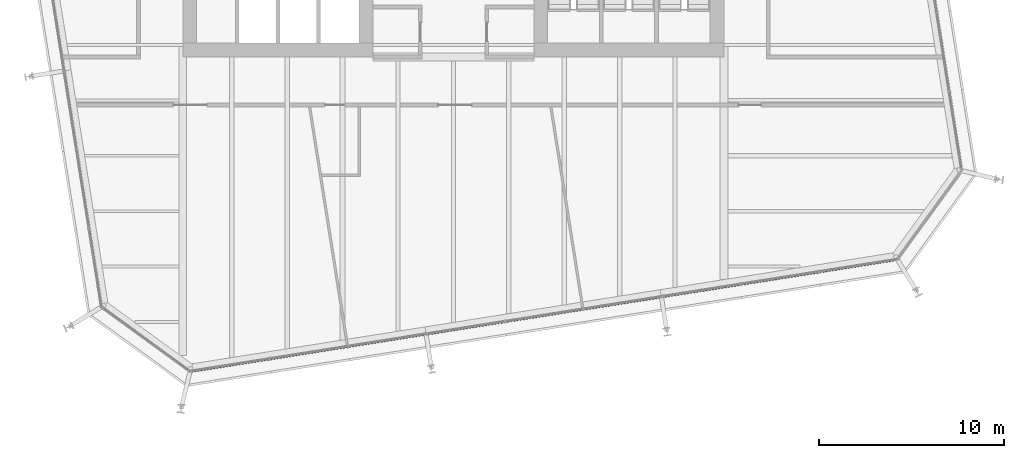
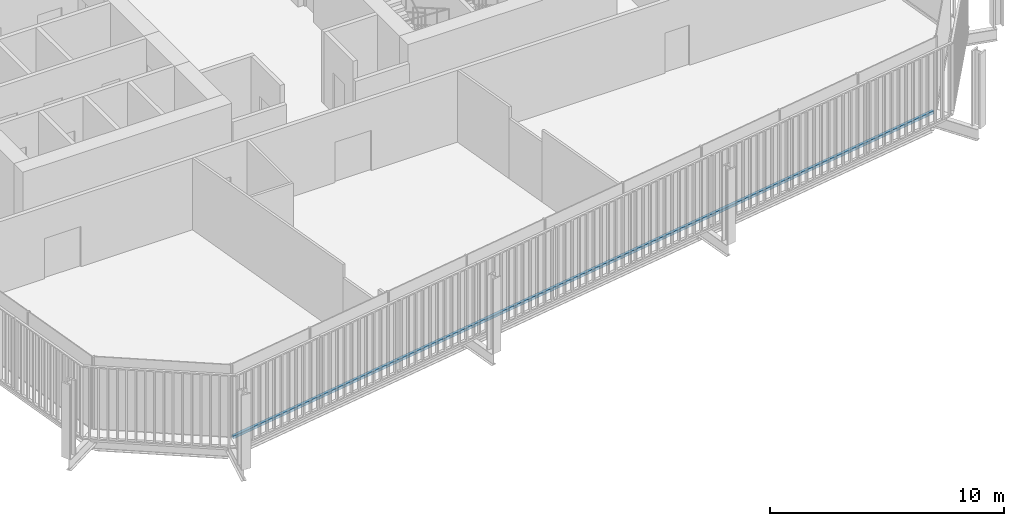
# One storey, part 7 of 21: 1 member, 1 element without a shape of its own.
"""IFC4 building model written with IfcOpenShell, lengths in metres."""

from ifc_helpers import new_model, si_unit, direction, frame, origin, origin_2d, place, context, subcontext, project, spatial, rectangle, extrude, material, layer, layer_set, material_profile, profile_set, type_object, element, aggregate, save


model = new_model("IFC4")

# Units and contexts
model_context = context("Model", 3, precision=1e-05, world=origin(), true_north=direction((0.0, 1.0)))
body_context = subcontext(model_context, "Body", "Model", "MODEL_VIEW")
ifc_project = project(units=[si_unit("LENGTHUNIT", "METRE"), si_unit("AREAUNIT", "SQUARE_METRE"), si_unit("VOLUMEUNIT", "CUBIC_METRE"), si_unit("PLANEANGLEUNIT", "RADIAN"), si_unit("MASSUNIT", "GRAM", prefix="KILO")], contexts=[model_context])

# Site, building, storey
site_placement = place(None, origin())
site = spatial("IfcSite", under=ifc_project, at=site_placement, CompositionType="ELEMENT")
building_placement = place(site_placement, origin())
building = spatial("IfcBuilding", under=site, at=building_placement, Name="Millrace Tower", CompositionType="ELEMENT")
storey_placement = place(building_placement, frame((0.0, 0.0, 183.89990234375)))
storey = spatial("IfcBuildingStorey", under=building, at=storey_placement, Name="L41", CompositionType="ELEMENT", Elevation=183.89990234375)

# Curtain wall, member
ifc_material_1 = material(Name="Aluminium and glass", Category="aluminium")
ifc_layer = layer(ifc_material_1, 0.14990234375)
ifc_layer_set = layer_set([ifc_layer], Name="Aluminium and glass")
curtain_wall_type = type_object("IfcCurtainWallType", Name="CW-1 office vision curtain wall", PredefinedType="NOTDEFINED", material=ifc_layer_set)
curtain_wall_placement = place(storey_placement, origin())
curtain_wall = element("IfcCurtainWall", 1, at=curtain_wall_placement, inside=storey, type_object=curtain_wall_type, Name="Curtain wall C-F02 L41", PredefinedType="NOTDEFINED")
ifc_material_2 = material(Name="Aluminium", Category="aluminium")
ifc_material_profile = material_profile(ifc_material_2, rectangle(XDim=0.14990234375, YDim=0.139892578125, at=origin_2d()))
ifc_profile_set = profile_set([ifc_material_profile], Name="Aluminium")
member_type = type_object("IfcMemberType", Name="CW-1 office vision curtain wall transom", PredefinedType="USERDEFINED", material=ifc_profile_set)
member_placement = place(storey_placement, frame((-14.125, -26.64599609375, 0.070068359375), z_axis=(0.987688350509, 0.156434402447, 0.0), x_axis=(-0.156434402447, 0.987688350509, 0.0)))
member = element("IfcMember", 2, at=member_placement, type_object=member_type, Name="CW1 transom C-F02.1", ObjectType="TRANSOM", PredefinedType="USERDEFINED", context=body_context, shape_type="SweptSolid", body=[
    extrude(rectangle(XDim=0.14990234375, YDim=0.139892578125, at=origin_2d()), origin(), (0.0, 0.0, 1.0), 38.499755859375),
])
aggregate(curtain_wall, [member])

save(model, "model.ifc")
